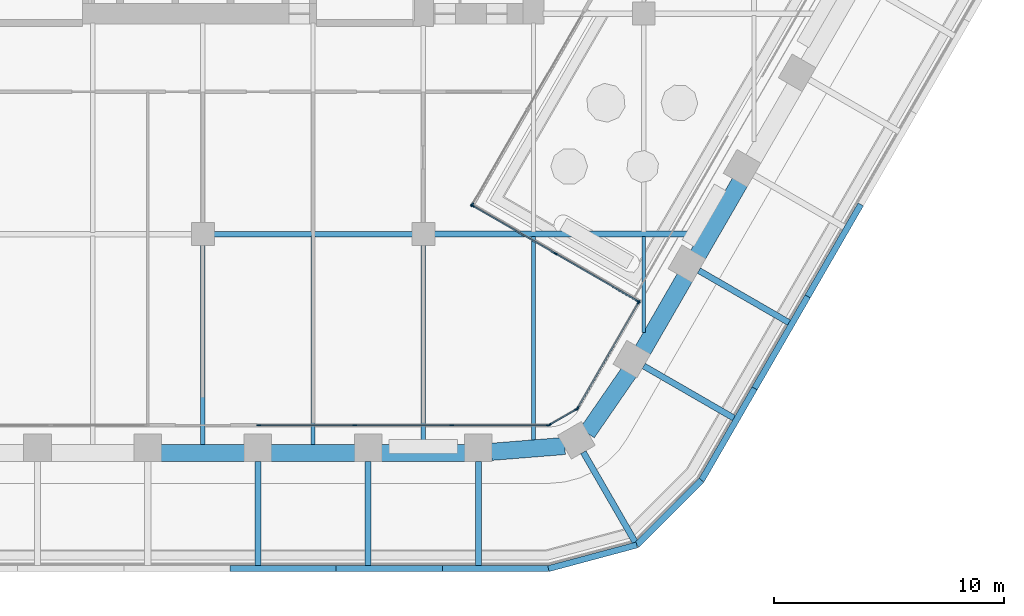
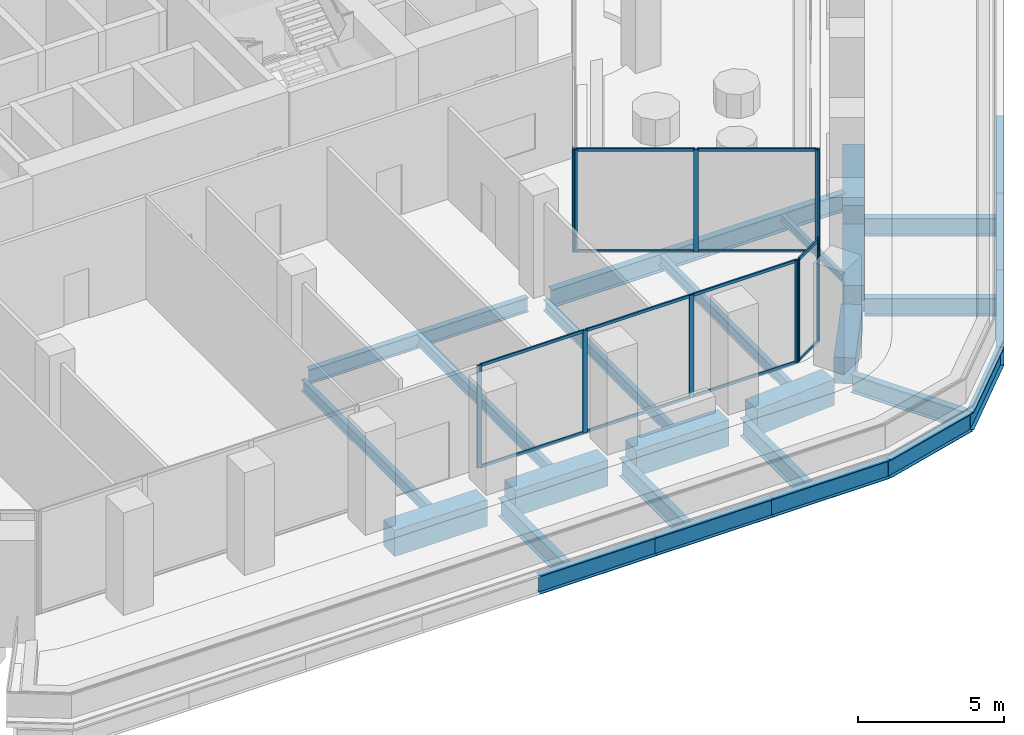
# One storey, part 4 of 25: 28 beams, 26 members, 5 elements without a shape of their own.
"""IFC4 building model written with IfcOpenShell, lengths in metres."""

from ifc_helpers import new_model, si_unit, direction, frame, origin, origin_2d, place, context, subcontext, project, spatial, rectangle, i_section, extrude, material, material_profile, profile_set, type_object, element, aggregate, save


model = new_model("IFC4")

# Units and contexts
model_context = context("Model", 3, precision=1e-05, world=origin(), true_north=direction((0.0, 1.0)))
body_context = subcontext(model_context, "Body", "Model", "MODEL_VIEW")
ifc_project = project(units=[si_unit("LENGTHUNIT", "METRE"), si_unit("AREAUNIT", "SQUARE_METRE"), si_unit("VOLUMEUNIT", "CUBIC_METRE"), si_unit("PLANEANGLEUNIT", "RADIAN"), si_unit("MASSUNIT", "GRAM", prefix="KILO")], contexts=[model_context])

# Site, building, storey
site_placement = place(None, origin())
site = spatial("IfcSite", under=ifc_project, at=site_placement, CompositionType="ELEMENT")
building_placement = place(site_placement, origin())
building = spatial("IfcBuilding", under=site, at=building_placement, Name="Kolab Exchange Tower", CompositionType="ELEMENT")
storey_placement = place(building_placement, frame((0.0, 0.0, 91.39990234375)))
storey = spatial("IfcBuildingStorey", under=building, at=storey_placement, Name="L17", CompositionType="ELEMENT", Elevation=91.39990234375)

# Beams
ifc_material_1 = material(Name="Steel S355", Category="steel")
ifc_material_profile_1 = material_profile(ifc_material_1, i_section(OverallWidth=0.1650390625, OverallDepth=0.31005859375, WebThickness=0.005859375, FlangeThickness=0.009765625, at=origin_2d()), Name="W310X39")
ifc_profile_set_1 = profile_set([ifc_material_profile_1], Name="Steel S355")
beam_type_1 = type_object("IfcBeamType", Name="FLOOR BEAM W310X39", PredefinedType="BEAM", material=ifc_profile_set_1)
beam_1_placement = place(storey_placement, frame((19.199951171875, -23.4814453125, -0.35498046875), z_axis=(0.0, 1.0, 0.0), x_axis=(-1.0, 0.0, 0.0)))
element("IfcBeam", 1, at=beam_1_placement, inside=storey, type_object=beam_type_1, Name="beam/L17/fr/040", PredefinedType="BEAM", context=body_context, shape_type="SweptSolid", body=[
    extrude(i_section(OverallWidth=0.1650390625, OverallDepth=0.31005859375, WebThickness=0.005859375, FlangeThickness=0.009765625, at=origin_2d()), origin(), (0.0, 0.0, 1.0), 4.18798828125),
])
ifc_material_profile_2 = material_profile(ifc_material_1, i_section(OverallWidth=0.18994140625, OverallDepth=0.45703125, WebThickness=0.009033203125, FlangeThickness=0.014404296875, at=origin_2d()), Name="W460X74")
ifc_profile_set_2 = profile_set([ifc_material_profile_2], Name="Steel S355")
beam_type_2 = type_object("IfcBeamType", Name="FLOOR BEAM W460X74", PredefinedType="BEAM", material=ifc_profile_set_2)
beam_2_placement = place(storey_placement, frame((0.0, -28.388427734375, -0.428466796875), z_axis=(0.0, 1.0, 0.0), x_axis=(-1.0, 0.0, 0.0)))
element("IfcBeam", 2, at=beam_2_placement, inside=storey, type_object=beam_type_2, Name="beam/L17/fr/024", PredefinedType="BEAM", context=body_context, shape_type="SweptSolid", body=[
    extrude(i_section(OverallWidth=0.18994140625, OverallDepth=0.45703125, WebThickness=0.009033203125, FlangeThickness=0.014404296875, at=origin_2d()), origin(), (0.0, 0.0, 1.0), 8.728515625),
])
beam_3_placement = place(storey_placement, frame((4.800048828125, -28.388427734375, -0.428466796875), z_axis=(0.0, 1.0, 0.0), x_axis=(-1.0, 0.0, 0.0)))
element("IfcBeam", 3, at=beam_3_placement, inside=storey, type_object=beam_type_2, Name="beam/L17/fr/028", PredefinedType="BEAM", context=body_context, shape_type="SweptSolid", body=[
    extrude(i_section(OverallWidth=0.18994140625, OverallDepth=0.45703125, WebThickness=0.009033203125, FlangeThickness=0.014404296875, at=origin_2d()), origin(), (0.0, 0.0, 1.0), 9.114501953125),
])
beam_4_placement = place(storey_placement, frame((9.60009765625, -28.388427734375, -0.428466796875), z_axis=(0.0, 1.0, 0.0), x_axis=(-1.0, 0.0, 0.0)))
element("IfcBeam", 4, at=beam_4_placement, inside=storey, type_object=beam_type_2, Name="beam/L17/fr/032", PredefinedType="BEAM", context=body_context, shape_type="SweptSolid", body=[
    extrude(i_section(OverallWidth=0.18994140625, OverallDepth=0.45703125, WebThickness=0.009033203125, FlangeThickness=0.014404296875, at=origin_2d()), origin(), (0.0, 0.0, 1.0), 8.728515625),
])
beam_5_placement = place(storey_placement, frame((14.39990234375, -28.194580078125, -0.428466796875), z_axis=(0.0, 1.0, 0.0), x_axis=(-1.0, 0.0, 0.0)))
element("IfcBeam", 5, at=beam_5_placement, inside=storey, type_object=beam_type_2, Name="beam/L17/fr/036", PredefinedType="BEAM", context=body_context, shape_type="SweptSolid", body=[
    extrude(i_section(OverallWidth=0.18994140625, OverallDepth=0.45703125, WebThickness=0.009033203125, FlangeThickness=0.014404296875, at=origin_2d()), origin(), (0.0, 0.0, 1.0), 8.901123046875),
])
ifc_material_profile_3 = material_profile(ifc_material_1, i_section(OverallWidth=0.22802734375, OverallDepth=0.60791015625, WebThickness=0.01123046875, FlangeThickness=0.017333984375, at=origin_2d()), Name="W610X113")
ifc_profile_set_3 = profile_set([ifc_material_profile_3], Name="Steel S355")
beam_type_3 = type_object("IfcBeamType", Name="FLOOR GIRDER W610X113", PredefinedType="BEAM", material=ifc_profile_set_3)
beam_6_placement = place(storey_placement, frame((0.4599609375, -19.199951171875, -0.50390625), z_axis=(1.0, 0.0, 0.0), x_axis=(0.0, 1.0, 0.0)))
element("IfcBeam", 6, at=beam_6_placement, inside=storey, type_object=beam_type_3, Name="beam/L17/gd/010", PredefinedType="BEAM", context=body_context, shape_type="SweptSolid", body=[
    extrude(i_section(OverallWidth=0.22802734375, OverallDepth=0.60791015625, WebThickness=0.01123046875, FlangeThickness=0.017333984375, at=origin_2d()), origin(), (0.0, 0.0, 1.0), 8.679931640625),
])
ifc_material_profile_4 = material_profile(ifc_material_1, i_section(OverallWidth=0.26708984375, OverallDepth=0.761962890625, WebThickness=0.014404296875, FlangeThickness=0.021484375, at=origin_2d()), Name="W760X173")
ifc_profile_set_4 = profile_set([ifc_material_profile_4], Name="Steel S355")
beam_type_4 = type_object("IfcBeamType", Name="FLOOR GIRDER W760X173", PredefinedType="BEAM", material=ifc_profile_set_4)
beam_7_placement = place(storey_placement, frame((10.06005859375, -19.199951171875, -0.580810546875), z_axis=(1.0, 0.0, 0.0), x_axis=(0.0, 1.0, 0.0)))
element("IfcBeam", 7, at=beam_7_placement, inside=storey, type_object=beam_type_4, Name="beam/L17/gd/012", PredefinedType="BEAM", context=body_context, shape_type="SweptSolid", body=[
    extrude(i_section(OverallWidth=0.26708984375, OverallDepth=0.761962890625, WebThickness=0.014404296875, FlangeThickness=0.021484375, at=origin_2d()), origin(), (0.0, 0.0, 1.0), 11.628662109375),
])
beam_8_placement = place(storey_placement, frame((21.60009765625, -20.78466796875, -0.640869140625), z_axis=(0.866030417568, -0.499991315771, 0.0), x_axis=(0.499991315771, 0.866030417568, 0.0)))
element("IfcBeam", 8, at=beam_8_placement, inside=storey, type_object=beam_type_4, Name="beam/L17/ledge/rib-05", PredefinedType="BEAM", context=body_context, shape_type="SweptSolid", body=[
    extrude(i_section(OverallWidth=0.26708984375, OverallDepth=0.761962890625, WebThickness=0.014404296875, FlangeThickness=0.021484375, at=origin_2d()), origin(), (0.0, 0.0, 1.0), 4.53271484375),
])
for number, where, z_axis, x_axis, name in (
    (9, (19.199951171875, -24.94140625, -0.640869140625), (0.866020560687, -0.500008388397, 0.0), (0.500008388397, 0.866020560687, 0.0), "beam/L17/ledge/rib-06"),
    (10, (16.56787109375, -28.696533203125, -0.640869140625), (0.500008388397, -0.866020560687, 0.0), (0.866020560687, 0.500008388397, 0.0), "beam/L17/ledge/rib-07"),
    (11, (12.0, -29.098388671875, -0.640869140625), (0.0, -1.0, 0.0), (1.0, 0.0, 0.0), "beam/L17/ledge/rib-08"),
    (12, (7.199951171875, -29.098388671875, -0.640869140625), (0.0, -1.0, 0.0), (1.0, 0.0, 0.0), "beam/L17/ledge/rib-09"),
    (13, (2.39990234375, -29.098388671875, -0.640869140625), (0.0, -1.0, 0.0), (1.0, 0.0, 0.0), "beam/L17/ledge/rib-10"),
):
    element("IfcBeam", number, at=place(storey_placement, frame(where, z_axis=z_axis, x_axis=x_axis)), inside=storey, type_object=beam_type_4, Name=name, PredefinedType="BEAM", context=body_context, shape_type="SweptSolid", body=[
        extrude(i_section(OverallWidth=0.26708984375, OverallDepth=0.761962890625, WebThickness=0.014404296875, FlangeThickness=0.021484375, at=origin_2d()), origin(), (0.0, 0.0, 1.0), 4.533203125),
    ])
for number, where, z_axis, x_axis, name in (
    (14, (28.65087890625, -17.9052734375, -0.640869140625), (-0.500001304485, -0.866024650639, 0.0), (0.866024650639, -0.500001304485, 0.0), "beam/L17/ledge/edge-05"),
    (15, (26.33935546875, -21.908935546875, -0.640869140625), (-0.500040910048, -0.866001783069, 0.0), (0.866001783069, -0.500040910048, 0.0), "beam/L17/ledge/edge-06"),
):
    element("IfcBeam", number, at=place(storey_placement, frame(where, z_axis=z_axis, x_axis=x_axis)), inside=storey, type_object=beam_type_4, Name=name, PredefinedType="BEAM", context=body_context, shape_type="SweptSolid", body=[
        extrude(i_section(OverallWidth=0.26708984375, OverallDepth=0.761962890625, WebThickness=0.014404296875, FlangeThickness=0.021484375, at=origin_2d()), origin(), (0.0, 0.0, 1.0), 4.623046875),
    ])
beam_9_placement = place(storey_placement, frame((24.027587890625, -25.91259765625, -0.640869140625), z_axis=(-0.499978438088, -0.866037852202, 0.0), x_axis=(0.866037852202, -0.499978438088, 0.0)))
element("IfcBeam", 16, at=beam_9_placement, inside=storey, type_object=beam_type_4, Name="beam/L17/ledge/edge-07", PredefinedType="BEAM", context=body_context, shape_type="SweptSolid", body=[
    extrude(i_section(OverallWidth=0.26708984375, OverallDepth=0.761962890625, WebThickness=0.014404296875, FlangeThickness=0.021484375, at=origin_2d()), origin(), (0.0, 0.0, 1.0), 4.623291015625),
])
beam_10_placement = place(storey_placement, frame((21.716064453125, -29.91650390625, -0.640869140625), z_axis=(-0.707106781187, -0.707106781187, 0.0), x_axis=(0.707106781187, -0.707106781187, 0.0)))
element("IfcBeam", 17, at=beam_10_placement, inside=storey, type_object=beam_type_4, Name="beam/L17/ledge/edge-08", PredefinedType="BEAM", context=body_context, shape_type="SweptSolid", body=[
    extrude(i_section(OverallWidth=0.26708984375, OverallDepth=0.761962890625, WebThickness=0.014404296875, FlangeThickness=0.021484375, at=origin_2d()), origin(), (0.0, 0.0, 1.0), 3.984375),
])
beam_11_placement = place(storey_placement, frame((18.898681640625, -32.73388671875, -0.640869140625), z_axis=(-0.965936290682, -0.258779988299, 0.0), x_axis=(0.258779988299, -0.965936290682, 0.0)))
element("IfcBeam", 18, at=beam_11_placement, inside=storey, type_object=beam_type_4, Name="beam/L17/ledge/edge-09", PredefinedType="BEAM", context=body_context, shape_type="SweptSolid", body=[
    extrude(i_section(OverallWidth=0.26708984375, OverallDepth=0.761962890625, WebThickness=0.014404296875, FlangeThickness=0.021484375, at=origin_2d()), origin(), (0.0, 0.0, 1.0), 3.984130859375),
])
beam_12_placement = place(storey_placement, frame((15.05029296875, -33.764892578125, -0.640869140625), z_axis=(-1.0, 0.0, 0.0), x_axis=(0.0, -1.0, 0.0)))
element("IfcBeam", 19, at=beam_12_placement, inside=storey, type_object=beam_type_4, Name="beam/L17/ledge/edge-10", PredefinedType="BEAM", context=body_context, shape_type="SweptSolid", body=[
    extrude(i_section(OverallWidth=0.26708984375, OverallDepth=0.761962890625, WebThickness=0.014404296875, FlangeThickness=0.021484375, at=origin_2d()), origin(), (0.0, 0.0, 1.0), 4.623046875),
])
beam_13_placement = place(storey_placement, frame((10.42724609375, -33.764892578125, -0.640869140625), z_axis=(-1.0, 0.0, 0.0), x_axis=(0.0, -1.0, 0.0)))
element("IfcBeam", 20, at=beam_13_placement, inside=storey, type_object=beam_type_4, Name="beam/L17/ledge/edge-11", PredefinedType="BEAM", context=body_context, shape_type="SweptSolid", body=[
    extrude(i_section(OverallWidth=0.26708984375, OverallDepth=0.761962890625, WebThickness=0.014404296875, FlangeThickness=0.021484375, at=origin_2d()), origin(), (0.0, 0.0, 1.0), 4.623291015625),
])
beam_14_placement = place(storey_placement, frame((5.803955078125, -33.764892578125, -0.640869140625), z_axis=(-1.0, 0.0, 0.0), x_axis=(0.0, -1.0, 0.0)))
element("IfcBeam", 21, at=beam_14_placement, inside=storey, type_object=beam_type_4, Name="beam/L17/ledge/edge-12", PredefinedType="BEAM", context=body_context, shape_type="SweptSolid", body=[
    extrude(i_section(OverallWidth=0.26708984375, OverallDepth=0.761962890625, WebThickness=0.014404296875, FlangeThickness=0.021484375, at=origin_2d()), origin(), (0.0, 0.0, 1.0), 4.623046875),
])
ifc_material_2 = material(Name="Concrete C70/85", Category="concrete")
ifc_material_profile_5 = material_profile(ifc_material_2, rectangle(XDim=0.75, YDim=1.10009765625, at=origin_2d()), Name="RC750X1100")
ifc_profile_set_5 = profile_set([ifc_material_profile_5], Name="Concrete C70/85")
beam_type_5 = type_object("IfcBeamType", Name="SPANDREL BEAM 750X1100 C70/85", PredefinedType="BEAM", material=ifc_profile_set_5)
for number, where, z_axis, x_axis, name in (
    (22, (23.395263671875, -16.925048828125, -0.75), (-0.500013413428, -0.866017659399, 0.0), (0.866017659399, -0.500013413428, 0.0), "beam/L17/sp/F3-05"),
    (23, (20.995361328125, -21.08203125, -0.75), (-0.500013413428, -0.866017659399, 0.0), (0.866017659399, -0.500013413428, 0.0), "beam/L17/sp/F3-06"),
):
    element("IfcBeam", number, at=place(storey_placement, frame(where, z_axis=z_axis, x_axis=x_axis)), inside=storey, type_object=beam_type_5, Name=name, PredefinedType="BEAM", context=body_context, shape_type="SweptSolid", body=[
        extrude(rectangle(XDim=0.75, YDim=1.10009765625, at=origin_2d()), origin(), (0.0, 0.0, 1.0), 3.68017578125),
    ])
for number, where, z_axis, x_axis, name in (
    (24, (18.55615234375, -25.216552734375, -0.75), (-0.567661826262, -0.823261836237, 0.0), (0.823261836237, -0.567661826262, 0.0), "beam/L17/sp/F3-07"),
    (25, (15.75830078125, -28.421630859375, -0.75), (-0.996791038408, -0.080047646748, 0.0), (0.080047646748, -0.996791038408, 0.0), "beam/L17/sp/F4-01"),
):
    element("IfcBeam", number, at=place(storey_placement, frame(where, z_axis=z_axis, x_axis=x_axis)), inside=storey, type_object=beam_type_5, Name=name, PredefinedType="BEAM", context=body_context, shape_type="SweptSolid", body=[
        extrude(rectangle(XDim=0.75, YDim=1.10009765625, at=origin_2d()), origin(), (0.0, 0.0, 1.0), 3.20849609375),
    ])
for number, where, z_axis, x_axis, name in (
    (26, (11.43994140625, -28.723388671875, -0.75), (-1.0, 0.0, 0.0), (0.0, -1.0, 0.0), "beam/L17/sp/F4-02"),
    (27, (6.639892578125, -28.723388671875, -0.75), (-1.0, 0.0, 0.0), (0.0, -1.0, 0.0), "beam/L17/sp/F4-03"),
):
    element("IfcBeam", number, at=place(storey_placement, frame(where, z_axis=z_axis, x_axis=x_axis)), inside=storey, type_object=beam_type_5, Name=name, PredefinedType="BEAM", context=body_context, shape_type="SweptSolid", body=[
        extrude(rectangle(XDim=0.75, YDim=1.10009765625, at=origin_2d()), origin(), (0.0, 0.0, 1.0), 3.679931640625),
    ])
beam_15_placement = place(storey_placement, frame((1.840087890625, -28.723388671875, -0.75), z_axis=(-1.0, 0.0, 0.0), x_axis=(0.0, -1.0, 0.0)))
element("IfcBeam", 28, at=beam_15_placement, inside=storey, type_object=beam_type_5, Name="beam/L17/sp/F4-04", PredefinedType="BEAM", context=body_context, shape_type="SweptSolid", body=[
    extrude(rectangle(XDim=0.75, YDim=1.10009765625, at=origin_2d()), origin(), (0.0, 0.0, 1.0), 3.68017578125),
])

# Curtain wall, member
ifc_material_3 = material(Name="Aluminium EN AW-6063 T6", Category="aluminium")
curtain_wall_type = type_object("IfcCurtainWallType", Name="UNITISED LOWER MID ZONE CURTAIN WALL", PredefinedType="NOTDEFINED", material=ifc_material_3)
curtain_wall_1_placement = place(storey_placement, origin())
curtain_wall_1 = element("IfcCurtainWall", 29, at=curtain_wall_1_placement, inside=storey, type_object=curtain_wall_type, Name="cw/L17/F3-back-2", PredefinedType="NOTDEFINED")
ifc_material_profile_6 = material_profile(ifc_material_3, rectangle(XDim=0.06005859375, YDim=0.179931640625, at=origin_2d()), Name="RECT 60X180")
ifc_profile_set_6 = profile_set([ifc_material_profile_6], Name="Aluminium EN AW-6063 T6")
member_type_1 = type_object("IfcMemberType", Name="UNITISED LOWER MID ZONE MULLION 60 X 180", PredefinedType="MULLION", material=ifc_profile_set_6)
member_1_placement = place(storey_placement, frame((11.732177734375, -17.916259765625, 0.0), z_axis=(0.0, 0.0, 1.0), x_axis=(0.866025406141, -0.499999995919, 0.0)))
member_1 = element("IfcMember", 30, at=member_1_placement, type_object=member_type_1, Name="CW2 mullion 3", PredefinedType="MULLION", context=body_context, shape_type="SweptSolid", body=[
    extrude(rectangle(XDim=0.06005859375, YDim=0.179931640625, at=origin_2d()), origin(), (0.0, 0.0, 1.0), 4.300048828125),
])
aggregate(curtain_wall_1, [member_1])

# Curtain wall, members
curtain_wall_2_placement = place(storey_placement, origin())
curtain_wall_2 = element("IfcCurtainWall", 31, at=curtain_wall_2_placement, inside=storey, type_object=curtain_wall_type, Name="cw/L17/F3-rr-1", PredefinedType="NOTDEFINED")
member_2_placement = place(storey_placement, frame((11.7431640625, -17.957275390625, 0.0), z_axis=(0.0, 0.0, 1.0), x_axis=(0.499999968652, 0.866025421884, 0.0)))
member_2 = element("IfcMember", 32, at=member_2_placement, type_object=member_type_1, Name="CW2 mullion 1", PredefinedType="MULLION", context=body_context, shape_type="SweptSolid", body=[
    extrude(rectangle(XDim=0.06005859375, YDim=0.179931640625, at=origin_2d()), origin(), (0.0, 0.0, 1.0), 4.300048828125),
])
member_3_placement = place(storey_placement, frame((15.3544921875, -20.042236328125, 0.0), z_axis=(0.0, 0.0, 1.0), x_axis=(0.499999968652, 0.866025421884, 0.0)))
member_3 = element("IfcMember", 33, at=member_3_placement, type_object=member_type_1, Name="CW2 mullion 2", PredefinedType="MULLION", context=body_context, shape_type="SweptSolid", body=[
    extrude(rectangle(XDim=0.06005859375, YDim=0.179931640625, at=origin_2d()), origin(), (0.0, 0.0, 1.0), 4.300048828125),
])
member_4_placement = place(storey_placement, frame((18.9658203125, -22.12744140625, 0.0), z_axis=(0.0, 0.0, 1.0), x_axis=(0.499999968652, 0.866025421884, 0.0)))
member_4 = element("IfcMember", 34, at=member_4_placement, type_object=member_type_1, Name="CW2 mullion 3", PredefinedType="MULLION", context=body_context, shape_type="SweptSolid", body=[
    extrude(rectangle(XDim=0.06005859375, YDim=0.179931640625, at=origin_2d()), origin(), (0.0, 0.0, 1.0), 4.300048828125),
])

curtain_wall_3_placement = place(storey_placement, origin())
curtain_wall_3 = element("IfcCurtainWall", 35, at=curtain_wall_3_placement, inside=storey, type_object=curtain_wall_type, Name="cw/L17/F3-r-1", PredefinedType="NOTDEFINED")
member_5_placement = place(storey_placement, frame((18.9765625, -22.168212890625, 0.0), z_axis=(0.0, 0.0, 1.0), x_axis=(0.866025377133, -0.500000046161, 0.0)))
member_5 = element("IfcMember", 36, at=member_5_placement, type_object=member_type_1, Name="CW2 mullion 1", PredefinedType="MULLION", context=body_context, shape_type="SweptSolid", body=[
    extrude(rectangle(XDim=0.06005859375, YDim=0.179931640625, at=origin_2d()), origin(), (0.0, 0.0, 1.0), 4.300048828125),
])
member_6_placement = place(storey_placement, frame((16.312744140625, -26.782470703125, 0.0), z_axis=(0.0, 0.0, 1.0), x_axis=(0.866025377133, -0.500000046161, 0.0)))
member_6 = element("IfcMember", 37, at=member_6_placement, type_object=member_type_1, Name="CW2 mullion 2", PredefinedType="MULLION", context=body_context, shape_type="SweptSolid", body=[
    extrude(rectangle(XDim=0.06005859375, YDim=0.179931640625, at=origin_2d()), origin(), (0.0, 0.0, 1.0), 4.300048828125),
])

curtain_wall_4_placement = place(storey_placement, origin())
curtain_wall_4 = element("IfcCurtainWall", 38, at=curtain_wall_4_placement, inside=storey, type_object=curtain_wall_type, Name="cw/L17/F4-1", PredefinedType="NOTDEFINED")
member_7_placement = place(storey_placement, frame((15.037841796875, -27.5185546875, 0.0), z_axis=(0.0, 0.0, 1.0), x_axis=(0.0, -1.0, 0.0)))
member_7 = element("IfcMember", 39, at=member_7_placement, type_object=member_type_1, Name="CW2 mullion 1", PredefinedType="MULLION", context=body_context, shape_type="SweptSolid", body=[
    extrude(rectangle(XDim=0.06005859375, YDim=0.179931640625, at=origin_2d()), origin(), (0.0, 0.0, 1.0), 4.300048828125),
])
member_8_placement = place(storey_placement, frame((10.84521484375, -27.5185546875, 0.0), z_axis=(0.0, 0.0, 1.0), x_axis=(0.0, -1.0, 0.0)))
member_8 = element("IfcMember", 40, at=member_8_placement, type_object=member_type_1, Name="CW2 mullion 2", PredefinedType="MULLION", context=body_context, shape_type="SweptSolid", body=[
    extrude(rectangle(XDim=0.06005859375, YDim=0.179931640625, at=origin_2d()), origin(), (0.0, 0.0, 1.0), 4.300048828125),
])
member_9_placement = place(storey_placement, frame((6.62255859375, -27.5185546875, 0.0), z_axis=(0.0, 0.0, 1.0), x_axis=(0.0, -1.0, 0.0)))
member_9 = element("IfcMember", 41, at=member_9_placement, type_object=member_type_1, Name="CW2 mullion 3", PredefinedType="MULLION", context=body_context, shape_type="SweptSolid", body=[
    extrude(rectangle(XDim=0.06005859375, YDim=0.179931640625, at=origin_2d()), origin(), (0.0, 0.0, 1.0), 4.300048828125),
])
member_10_placement = place(storey_placement, frame((2.429931640625, -27.5185546875, 0.0), z_axis=(0.0, 0.0, 1.0), x_axis=(0.0, -1.0, 0.0)))
member_10 = element("IfcMember", 42, at=member_10_placement, type_object=member_type_1, Name="CW2 mullion 4", PredefinedType="MULLION", context=body_context, shape_type="SweptSolid", body=[
    extrude(rectangle(XDim=0.06005859375, YDim=0.179931640625, at=origin_2d()), origin(), (0.0, 0.0, 1.0), 4.300048828125),
])

curtain_wall_5_placement = place(storey_placement, origin())
curtain_wall_5 = element("IfcCurtainWall", 43, at=curtain_wall_5_placement, inside=storey, type_object=curtain_wall_type, Name="cw/L17/F3F4-corner", PredefinedType="NOTDEFINED")
member_11_placement = place(storey_placement, frame((16.271728515625, -26.823486328125, 0.0), z_axis=(0.0, 0.0, 1.0), x_axis=(0.50000002237, -0.866025390869, 0.0)))
member_11 = element("IfcMember", 44, at=member_11_placement, type_object=member_type_1, Name="CW2 mullion 1", PredefinedType="MULLION", context=body_context, shape_type="SweptSolid", body=[
    extrude(rectangle(XDim=0.06005859375, YDim=0.179931640625, at=origin_2d()), origin(), (0.0, 0.0, 1.0), 4.300048828125),
])
member_12_placement = place(storey_placement, frame((15.093994140625, -27.50341796875, 0.0), z_axis=(0.0, 0.0, 1.0), x_axis=(0.50000002237, -0.866025390869, 0.0)))
member_12 = element("IfcMember", 45, at=member_12_placement, type_object=member_type_1, Name="CW2 mullion 2", PredefinedType="MULLION", context=body_context, shape_type="SweptSolid", body=[
    extrude(rectangle(XDim=0.06005859375, YDim=0.179931640625, at=origin_2d()), origin(), (0.0, 0.0, 1.0), 4.300048828125),
])

# Member
ifc_material_profile_7 = material_profile(ifc_material_3, rectangle(XDim=0.06005859375, YDim=0.1201171875, at=origin_2d()), Name="RECT 60X120")
ifc_profile_set_7 = profile_set([ifc_material_profile_7], Name="Aluminium EN AW-6063 T6")
member_type_2 = type_object("IfcMemberType", Name="UNITISED LOWER MID ZONE TRANSOM 60 X 120", PredefinedType="USERDEFINED", material=ifc_profile_set_7)
member_13_placement = place(storey_placement, frame((11.76904296875, -17.972412109375, 0.030029296875), z_axis=(0.866030279993, -0.499991554064, 0.0), x_axis=(0.499991554064, 0.866030279993, 0.0)))
member_13 = element("IfcMember", 46, at=member_13_placement, type_object=member_type_2, Name="CW2 transom 1.1", ObjectType="TRANSOM", PredefinedType="USERDEFINED", context=body_context, shape_type="SweptSolid", body=[
    extrude(rectangle(XDim=0.06005859375, YDim=0.1201171875, at=origin_2d()), origin(), (0.0, 0.0, 1.0), 4.10986328125),
])

member_14_placement = place(storey_placement, frame((11.76904296875, -17.972412109375, 4.27001953125), z_axis=(0.866030279993, -0.499991554064, 0.0), x_axis=(0.499991554064, 0.866030279993, 0.0)))
member_14 = element("IfcMember", 47, at=member_14_placement, type_object=member_type_2, Name="CW2 transom 1.2", ObjectType="TRANSOM", PredefinedType="USERDEFINED", context=body_context, shape_type="SweptSolid", body=[
    extrude(rectangle(XDim=0.06005859375, YDim=0.1201171875, at=origin_2d()), origin(), (0.0, 0.0, 1.0), 4.10986328125),
])

member_15_placement = place(storey_placement, frame((15.38037109375, -20.057373046875, 0.030029296875), z_axis=(0.866030279993, -0.499991554064, 0.0), x_axis=(0.499991554064, 0.866030279993, 0.0)))
member_15 = element("IfcMember", 48, at=member_15_placement, type_object=member_type_2, Name="CW2 transom 2.1", ObjectType="TRANSOM", PredefinedType="USERDEFINED", context=body_context, shape_type="SweptSolid", body=[
    extrude(rectangle(XDim=0.06005859375, YDim=0.1201171875, at=origin_2d()), origin(), (0.0, 0.0, 1.0), 4.10986328125),
])

member_16_placement = place(storey_placement, frame((15.38037109375, -20.057373046875, 4.27001953125), z_axis=(0.866030279993, -0.499991554064, 0.0), x_axis=(0.499991554064, 0.866030279993, 0.0)))
member_16 = element("IfcMember", 49, at=member_16_placement, type_object=member_type_2, Name="CW2 transom 2.2", ObjectType="TRANSOM", PredefinedType="USERDEFINED", context=body_context, shape_type="SweptSolid", body=[
    extrude(rectangle(XDim=0.06005859375, YDim=0.1201171875, at=origin_2d()), origin(), (0.0, 0.0, 1.0), 4.10986328125),
])

aggregate(curtain_wall_2, [member_2, member_3, member_4, member_13, member_14, member_15, member_16])

member_17_placement = place(storey_placement, frame((18.961669921875, -22.1943359375, 0.030029296875), z_axis=(-0.500001929737, -0.866024289647, 0.0), x_axis=(0.866024289647, -0.500001929737, 0.0)))
member_17 = element("IfcMember", 50, at=member_17_placement, type_object=member_type_2, Name="CW2 transom 1.1", ObjectType="TRANSOM", PredefinedType="USERDEFINED", context=body_context, shape_type="SweptSolid", body=[
    extrude(rectangle(XDim=0.06005859375, YDim=0.1201171875, at=origin_2d()), origin(), (0.0, 0.0, 1.0), 5.26806640625),
])

member_18_placement = place(storey_placement, frame((18.961669921875, -22.1943359375, 4.27001953125), z_axis=(-0.500001929737, -0.866024289647, 0.0), x_axis=(0.866024289647, -0.500001929737, 0.0)))
member_18 = element("IfcMember", 51, at=member_18_placement, type_object=member_type_2, Name="CW2 transom 1.2", ObjectType="TRANSOM", PredefinedType="USERDEFINED", context=body_context, shape_type="SweptSolid", body=[
    extrude(rectangle(XDim=0.06005859375, YDim=0.1201171875, at=origin_2d()), origin(), (0.0, 0.0, 1.0), 5.26806640625),
])

aggregate(curtain_wall_3, [member_5, member_6, member_17, member_18])

member_19_placement = place(storey_placement, frame((15.008056640625, -27.5185546875, 0.030029296875), z_axis=(-1.0, 0.0, 0.0), x_axis=(0.0, -1.0, 0.0)))
member_19 = element("IfcMember", 52, at=member_19_placement, type_object=member_type_2, Name="CW2 transom 1.1", ObjectType="TRANSOM", PredefinedType="USERDEFINED", context=body_context, shape_type="SweptSolid", body=[
    extrude(rectangle(XDim=0.06005859375, YDim=0.1201171875, at=origin_2d()), origin(), (0.0, 0.0, 1.0), 4.1328125),
])

member_20_placement = place(storey_placement, frame((15.008056640625, -27.5185546875, 4.27001953125), z_axis=(-1.0, 0.0, 0.0), x_axis=(0.0, -1.0, 0.0)))
member_20 = element("IfcMember", 53, at=member_20_placement, type_object=member_type_2, Name="CW2 transom 1.2", ObjectType="TRANSOM", PredefinedType="USERDEFINED", context=body_context, shape_type="SweptSolid", body=[
    extrude(rectangle(XDim=0.06005859375, YDim=0.1201171875, at=origin_2d()), origin(), (0.0, 0.0, 1.0), 4.1328125),
])

member_21_placement = place(storey_placement, frame((10.815185546875, -27.5185546875, 0.030029296875), z_axis=(-1.0, 0.0, 0.0), x_axis=(0.0, -1.0, 0.0)))
member_21 = element("IfcMember", 54, at=member_21_placement, type_object=member_type_2, Name="CW2 transom 2.1", ObjectType="TRANSOM", PredefinedType="USERDEFINED", context=body_context, shape_type="SweptSolid", body=[
    extrude(rectangle(XDim=0.06005859375, YDim=0.1201171875, at=origin_2d()), origin(), (0.0, 0.0, 1.0), 4.16259765625),
])

member_22_placement = place(storey_placement, frame((10.815185546875, -27.5185546875, 4.27001953125), z_axis=(-1.0, 0.0, 0.0), x_axis=(0.0, -1.0, 0.0)))
member_22 = element("IfcMember", 55, at=member_22_placement, type_object=member_type_2, Name="CW2 transom 2.2", ObjectType="TRANSOM", PredefinedType="USERDEFINED", context=body_context, shape_type="SweptSolid", body=[
    extrude(rectangle(XDim=0.06005859375, YDim=0.1201171875, at=origin_2d()), origin(), (0.0, 0.0, 1.0), 4.16259765625),
])

member_23_placement = place(storey_placement, frame((6.592529296875, -27.5185546875, 0.030029296875), z_axis=(-1.0, 0.0, 0.0), x_axis=(0.0, -1.0, 0.0)))
member_23 = element("IfcMember", 56, at=member_23_placement, type_object=member_type_2, Name="CW2 transom 3.1", ObjectType="TRANSOM", PredefinedType="USERDEFINED", context=body_context, shape_type="SweptSolid", body=[
    extrude(rectangle(XDim=0.06005859375, YDim=0.1201171875, at=origin_2d()), origin(), (0.0, 0.0, 1.0), 4.132568359375),
])

member_24_placement = place(storey_placement, frame((6.592529296875, -27.5185546875, 4.27001953125), z_axis=(-1.0, 0.0, 0.0), x_axis=(0.0, -1.0, 0.0)))
member_24 = element("IfcMember", 57, at=member_24_placement, type_object=member_type_2, Name="CW2 transom 3.2", ObjectType="TRANSOM", PredefinedType="USERDEFINED", context=body_context, shape_type="SweptSolid", body=[
    extrude(rectangle(XDim=0.06005859375, YDim=0.1201171875, at=origin_2d()), origin(), (0.0, 0.0, 1.0), 4.132568359375),
])

aggregate(curtain_wall_4, [member_7, member_8, member_9, member_10, member_19, member_20, member_21, member_22, member_23, member_24])

member_25_placement = place(storey_placement, frame((16.245849609375, -26.83837890625, 0.030029296875), z_axis=(-0.866004217611, -0.500036693733, 0.0), x_axis=(0.500036693733, -0.866004217611, 0.0)))
member_25 = element("IfcMember", 58, at=member_25_placement, type_object=member_type_2, Name="CW2 transom 1.1", ObjectType="TRANSOM", PredefinedType="USERDEFINED", context=body_context, shape_type="SweptSolid", body=[
    extrude(rectangle(XDim=0.06005859375, YDim=0.1201171875, at=origin_2d()), origin(), (0.0, 0.0, 1.0), 1.30029296875),
])

member_26_placement = place(storey_placement, frame((16.245849609375, -26.83837890625, 4.27001953125), z_axis=(-0.866004217611, -0.500036693733, 0.0), x_axis=(0.500036693733, -0.866004217611, 0.0)))
member_26 = element("IfcMember", 59, at=member_26_placement, type_object=member_type_2, Name="CW2 transom 1.2", ObjectType="TRANSOM", PredefinedType="USERDEFINED", context=body_context, shape_type="SweptSolid", body=[
    extrude(rectangle(XDim=0.06005859375, YDim=0.1201171875, at=origin_2d()), origin(), (0.0, 0.0, 1.0), 1.30029296875),
])

aggregate(curtain_wall_5, [member_11, member_12, member_25, member_26])

save(model, "model.ifc")
